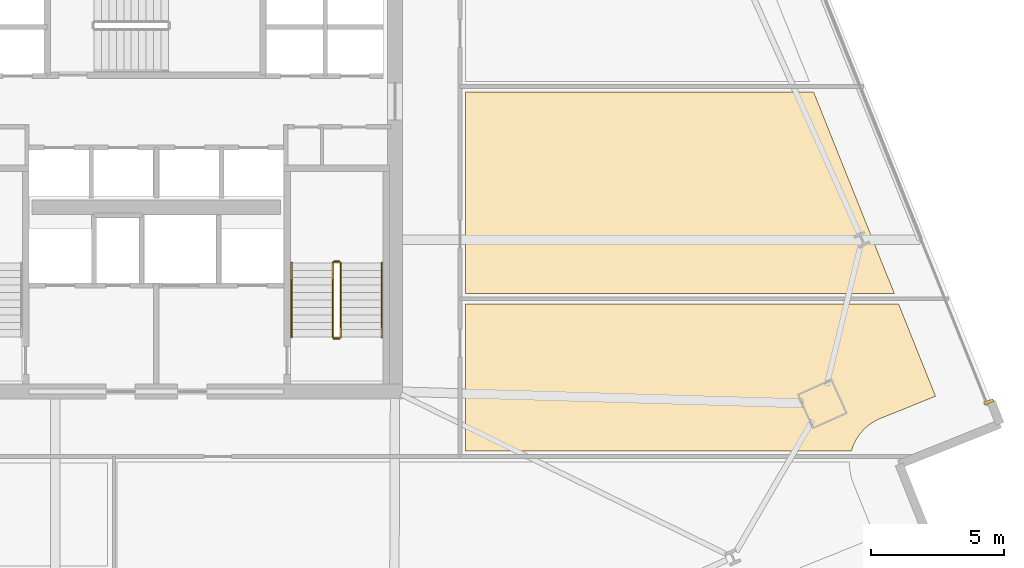
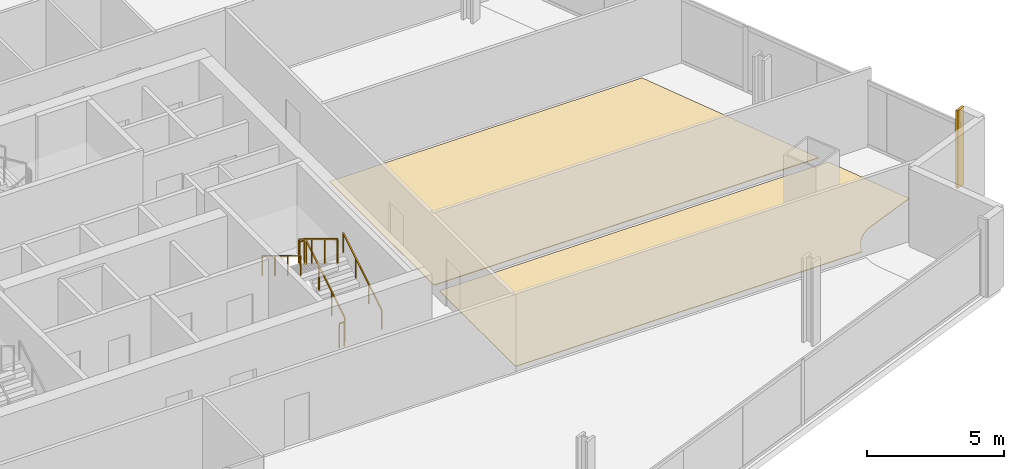
# One storey, part 30 of 33: 6 railings, 3 coverings.
"""IFC4 building model written with IfcOpenShell, lengths in metres."""

import ifcopenshell
import ifcopenshell.guid

model = None  # the IFC model being written
_history = None  # IfcOwnerHistory: only IFC2X3 demands one
_inside = {}  # id of a spatial element -> (the spatial element, [elements in it])
_under = {}  # id of a project, library or spatial element -> (it, [spatial elements below it])
_declared = {}  # id of a project -> (the project, [libraries it declares])
_typed = {}  # id of a type object -> (the type object, [elements of that type])
_made_of = {}  # id of a material, layer set ... -> (it, [elements and type objects made of it])


def new_model(schema):
    """Start an empty IFC model of exactly this schema.

    Asked for "IFC4X3", IfcOpenShell would pick the latest addendum, in which some entities
    have other attributes; the version numbers below select the first issue.
    IFC2X3 requires an IfcOwnerHistory on every rooted entity: one is made here for all.
    """
    global model, _history
    if schema == "IFC4X3":
        model = ifcopenshell.file(schema_version=(4, 3, 0, 0))
    else:
        model = ifcopenshell.file(schema=schema)
    _inside.clear()
    _under.clear()
    _declared.clear()
    _typed.clear()
    _made_of.clear()
    _history = None
    if model.schema == "IFC2X3":
        org = make("IfcOrganization", Name="unknown")
        user = make(
            "IfcPersonAndOrganization",
            ThePerson=make("IfcPerson", FamilyName="unknown"),
            TheOrganization=org,
        )
        app = make(
            "IfcApplication",
            ApplicationDeveloper=org,
            Version="unknown",
            ApplicationFullName="unknown",
            ApplicationIdentifier="unknown",
        )
        _history = make(
            "IfcOwnerHistory",
            OwningUser=user,
            OwningApplication=app,
            ChangeAction="ADDED",
            CreationDate=0,
        )
    return model


def make(cls, **values):
    """One entity of the class cls with the attributes given. An attribute that is None is left unset."""
    return model.create_entity(
        cls, **{name: value for name, value in values.items() if value is not None}
    )


def rooted(cls, **values):
    """An entity with a GlobalId (a new one), such as an element, a storey or a relation."""
    return make(cls, GlobalId=ifcopenshell.guid.new(), OwnerHistory=_history, **values)


def si_unit(unit_type, name, prefix=None):
    """IfcSIUnit, for example si_unit("LENGTHUNIT", "METRE", prefix="MILLI")."""
    return make("IfcSIUnit", UnitType=unit_type, Prefix=prefix, Name=name)


def assignment(units):
    """IfcUnitAssignment: the units of a project."""
    return None if units is None else make("IfcUnitAssignment", Units=units)


def point(xyz):
    """IfcCartesianPoint."""
    return None if xyz is None else make("IfcCartesianPoint", Coordinates=xyz)


def direction(xyz):
    """IfcDirection."""
    return None if xyz is None else make("IfcDirection", DirectionRatios=xyz)


def frame(location, z_axis=None, x_axis=None):
    """IfcAxis2Placement3D, a coordinate frame: its origin and axes. An axis left out is left unset."""
    return make(
        "IfcAxis2Placement3D",
        Location=point(location),
        Axis=direction(z_axis),
        RefDirection=direction(x_axis),
    )


def frame_2d(location, x_axis=None):
    """IfcAxis2Placement2D, a coordinate frame in the plane: its origin and x axis."""
    return make(
        "IfcAxis2Placement2D", Location=point(location), RefDirection=direction(x_axis)
    )


def origin():
    """The frame at (0, 0, 0) with its axes left unset."""
    return frame((0.0, 0.0, 0.0))


def origin_2d():
    """The frame at (0, 0) in the plane with its x axis left unset."""
    return frame_2d((0.0, 0.0))


def place(relative_to, where):
    """IfcLocalPlacement: puts the frame where relative to a parent placement (None: the world)."""
    return make(
        "IfcLocalPlacement", PlacementRelTo=relative_to, RelativePlacement=where
    )


def context(
    kind, dimensions, precision=None, world=None, true_north=None, identifier=None
):
    """IfcGeometricRepresentationContext, for example the 3D "Model" context."""
    return make(
        "IfcGeometricRepresentationContext",
        ContextIdentifier=identifier,
        ContextType=kind,
        CoordinateSpaceDimension=dimensions,
        Precision=precision,
        WorldCoordinateSystem=world,
        TrueNorth=true_north,
    )


def subcontext(parent, identifier, kind, view, scale=None):
    """IfcGeometricRepresentationSubContext, for example "Body" below "Model"."""
    return make(
        "IfcGeometricRepresentationSubContext",
        ContextIdentifier=identifier,
        ContextType=kind,
        ParentContext=parent,
        TargetScale=scale,
        TargetView=view,
    )


def project(units=None, contexts=None):
    """IfcProject with its units and contexts."""
    return rooted(
        "IfcProject",
        Name="project",
        RepresentationContexts=contexts,
        UnitsInContext=assignment(units),
    )


def spatial(cls, under=None, at=None, **own):
    """A site, building, storey or space (cls), placed at a placement, below another one or the project."""
    s = rooted(cls, ObjectPlacement=at, **own)
    if under is not None:
        _under.setdefault(under.id(), (under, []))[1].append(s)
    return s


def polyline(points):
    """IfcPolyline through the points."""
    return make("IfcPolyline", Points=[point(p) for p in points])


def profile(cls, at=None, kind="AREA", **sizes):
    """A parametric profile (cls). Its sizes go by their IFC names, for example OverallWidth=200.0."""
    return make(cls, ProfileType=kind, Position=at, **sizes)


def rectangle(**sizes):
    """IfcRectangleProfileDef."""
    return profile("IfcRectangleProfileDef", **sizes)


def outline(outer, holes=None, kind="AREA"):
    """IfcArbitraryClosedProfileDef: a profile drawn as a closed curve; with holes, ...WithVoids."""
    if holes is None:
        return make("IfcArbitraryClosedProfileDef", ProfileType=kind, OuterCurve=outer)
    return make(
        "IfcArbitraryProfileDefWithVoids",
        ProfileType=kind,
        OuterCurve=outer,
        InnerCurves=holes,
    )


def extrude(swept, where, along, depth):
    """IfcExtrudedAreaSolid: the profile swept, set in the frame where, extruded along a direction by depth."""
    return make(
        "IfcExtrudedAreaSolid",
        SweptArea=swept,
        Position=where,
        ExtrudedDirection=direction(along),
        Depth=depth,
    )


def shape(context_of_items, identifier, shape_type, items):
    """IfcShapeRepresentation: the items that make up one representation, for example the "Body"."""
    return make(
        "IfcShapeRepresentation",
        ContextOfItems=context_of_items,
        RepresentationIdentifier=identifier,
        RepresentationType=shape_type,
        Items=items,
    )


def source(mapping_origin, context_of_items, identifier, shape_type, items):
    """IfcRepresentationMap: a shape defined once, which mapped items show again and again."""
    return make(
        "IfcRepresentationMap",
        MappingOrigin=mapping_origin,
        MappedRepresentation=shape(context_of_items, identifier, shape_type, items),
    )


def transform(
    local_origin,
    x_axis=None,
    y_axis=None,
    z_axis=None,
    scale=None,
    scale2=None,
    scale3=None,
    uniform=True,
):
    """IfcCartesianTransformationOperator3D, or its non-uniform kind. x_axis, y_axis, z_axis: its Axis1, 2, 3."""
    if uniform:
        return make(
            "IfcCartesianTransformationOperator3D",
            Axis1=direction(x_axis),
            Axis2=direction(y_axis),
            LocalOrigin=point(local_origin),
            Scale=scale,
            Axis3=direction(z_axis),
        )
    return make(
        "IfcCartesianTransformationOperator3DnonUniform",
        Axis1=direction(x_axis),
        Axis2=direction(y_axis),
        LocalOrigin=point(local_origin),
        Scale=scale,
        Axis3=direction(z_axis),
        Scale2=scale2,
        Scale3=scale3,
    )


def mapped(mapping_source, mapping_target):
    """IfcMappedItem: shows the shape of a source again, moved by a transform."""
    return make(
        "IfcMappedItem", MappingSource=mapping_source, MappingTarget=mapping_target
    )


def material(Name=None, Category=None):
    """IfcMaterial."""
    return make("IfcMaterial", Name=Name, Category=Category)


def layer(
    of_material, thickness, ventilated=None, Name=None, Category=None, Priority=None
):
    """IfcMaterialLayer: one layer of a wall or slab, of a material (None: an air gap)."""
    return make(
        "IfcMaterialLayer",
        Material=of_material,
        LayerThickness=thickness,
        IsVentilated=ventilated,
        Name=Name,
        Category=Category,
        Priority=Priority,
    )


def layer_set(layers, Name=None):
    """IfcMaterialLayerSet."""
    return make("IfcMaterialLayerSet", MaterialLayers=layers, LayerSetName=Name)


def made_of(thing, what):
    """Note that an element or type object is made of a material, layer set ...; save() writes the relation."""
    if what is not None:
        _made_of.setdefault(what.id(), (what, []))[1].append(thing)
    return thing


def type_object(cls, material=None, **own):
    """A type object (cls), such as IfcWallType, which elements share."""
    return made_of(rooted(cls, **own), material)


def element(
    cls,
    number,
    at=None,
    inside=None,
    cuts=None,
    type_object=None,
    material=None,
    context=None,
    identifier="Body",
    shape_type=None,
    held_by="IfcProductDefinitionShape",
    body=None,
    shapes=None,
    **own,
):
    """One element of the class cls, such as IfcWall. Its Tag is "e" and its number.

    at: its placement. inside: the storey or other place that contains it. cuts: it is an
    opening in that element (IfcRelVoidsElement). A single representation is given by context,
    identifier, shape_type and body (its items); several are given by shapes. held_by: the class
    of the entity that holds the representations. save() writes the other relations.
    """
    e = rooted(cls, Tag="e%d" % number, ObjectPlacement=at, **own)
    if body is not None:
        shapes = [shape(context, identifier, shape_type, body)]
    if shapes is not None:
        e.Representation = make(held_by, Representations=shapes)
    if inside is not None:
        _inside.setdefault(inside.id(), (inside, []))[1].append(e)
    if cuts is not None:
        rooted(
            "IfcRelVoidsElement", RelatingBuildingElement=cuts, RelatedOpeningElement=e
        )
    if type_object is not None:
        _typed.setdefault(type_object.id(), (type_object, []))[1].append(e)
    return made_of(e, material)


def aggregate(whole, parts):
    """IfcRelAggregates: a whole, such as a stair, and the parts it consists of."""
    return rooted("IfcRelAggregates", RelatingObject=whole, RelatedObjects=parts)


def save(model, path):
    """Write the relations noted so far, then the file.

    IfcRelAggregates (storeys below a building ...), IfcRelContainedInSpatialStructure (elements
    in a storey), IfcRelDefinesByType, IfcRelAssociatesMaterial and IfcRelDeclares: one each for
    every whole, place, type object, material and project.
    """
    for whole, parts in _under.values():
        aggregate(whole, parts)
    for where, things in _inside.values():
        rooted(
            "IfcRelContainedInSpatialStructure",
            RelatedElements=things,
            RelatingStructure=where,
        )
    for kind, things in _typed.values():
        rooted("IfcRelDefinesByType", RelatedObjects=things, RelatingType=kind)
    for what, things in _made_of.values():
        rooted("IfcRelAssociatesMaterial", RelatedObjects=things, RelatingMaterial=what)
    for by, libraries in _declared.values():
        rooted("IfcRelDeclares", RelatingContext=by, RelatedDefinitions=libraries)
    model.write(path)


model = new_model("IFC4")

# Units and contexts
model_context = context("Model", 3, precision=1e-05, world=origin(), true_north=direction((0.0, 1.0)))
body_context = subcontext(model_context, "Body", "Model", "MODEL_VIEW")
ifc_project = project(units=[si_unit("LENGTHUNIT", "METRE"), si_unit("AREAUNIT", "SQUARE_METRE"), si_unit("VOLUMEUNIT", "CUBIC_METRE"), si_unit("PLANEANGLEUNIT", "RADIAN"), si_unit("MASSUNIT", "GRAM", prefix="KILO")], contexts=[model_context])

# Site, building, storey
site_placement = place(None, origin())
site = spatial("IfcSite", under=ifc_project, at=site_placement, CompositionType="ELEMENT")
building_placement = place(site_placement, origin())
building = spatial("IfcBuilding", under=site, at=building_placement, Name="Haldenkirk Collegiate Tower", CompositionType="ELEMENT")
storey_placement = place(building_placement, frame((0.0, 0.0, 101.699951171875)))
storey = spatial("IfcBuildingStorey", under=building, at=storey_placement, Name="L24", CompositionType="ELEMENT", Elevation=101.699951171875)

# Coverings
ifc_material_1 = material(Name="Polished collegiate terrazzo", Category="concrete")
ifc_layer_1 = layer(ifc_material_1, 0.02490234375)
ifc_layer_set_1 = layer_set([ifc_layer_1], Name="Polished collegiate terrazzo")
covering_type_1 = type_object("IfcCoveringType", Name="COV-FLOOR-TERRAZZO", PredefinedType="FLOORING", material=ifc_layer_set_1)
covering_1_placement = place(storey_placement, origin())
element("IfcCovering", 1, at=covering_1_placement, inside=storey, type_object=covering_type_1, Name="L24 academic room finish 10", PredefinedType="FLOORING", context=body_context, shape_type="SweptSolid", body=[
    extrude(outline(polyline([(63.82958984375, 21.699951171875), (47.64990234375, 21.699951171875), (47.64990234375, 29.300048828125), (60.781982421875, 29.300048828125), (63.82958984375, 21.699951171875)])), origin(), (0.0, 0.0, 1.0), 0.025146484375),
])
ifc_material_2 = material(Name="Engineered collegiate oak acoustic flooring", Category="wood")
ifc_layer_2 = layer(ifc_material_2, 0.02197265625)
ifc_layer_set_2 = layer_set([ifc_layer_2], Name="Engineered collegiate oak acoustic flooring")
covering_type_2 = type_object("IfcCoveringType", Name="COV-FLOOR-TIMBER", PredefinedType="FLOORING", material=ifc_layer_set_2)
covering_2_placement = place(storey_placement, origin())
element("IfcCovering", 2, at=covering_2_placement, inside=storey, type_object=covering_type_2, Name="L24 academic room finish 09", PredefinedType="FLOORING", context=body_context, shape_type="SweptSolid", body=[
    extrude(outline(polyline([(63.31591796875, 16.989013671875), (63.310546875, 16.98681640625), (63.154541015625, 16.9150390625), (63.14404296875, 16.90966796875), (62.995849609375, 16.822998046875), (62.98583984375, 16.816650390625), (62.8466796875, 16.7158203125), (62.837646484375, 16.70849609375), (62.708984375, 16.594482421875), (62.70068359375, 16.58642578125), (62.583984375, 16.46044921875), (62.576416015625, 16.451416015625), (62.472412109375, 16.314697265625), (62.4658203125, 16.304931640625), (62.3759765625, 16.15869140625), (62.3701171875, 16.148193359375), (62.294921875, 15.993896484375), (62.290283203125, 15.983154296875), (62.230712890625, 15.822021484375), (62.22705078125, 15.810791015625), (62.211181640625, 15.75), (47.64990234375, 15.75), (47.64990234375, 21.300048828125), (63.989990234375, 21.300048828125), (65.3857421875, 17.819091796875), (63.31591796875, 16.989013671875)])), origin(), (0.0, 0.0, 1.0), 0.02197265625),
])

# Railings
ifc_material_3 = material(Name="Painted architectural tubular steel", Category="steel")
railing_type_1 = type_object("IfcRailingType", Name="RLG-STAIR-GUARD-1100", PredefinedType="BALUSTRADE", material=ifc_material_3)
railing_1_placement = place(storey_placement, frame((42.949951171875, 20.050048828125, 0.17041015625)))
element("IfcRailing", 3, at=railing_1_placement, inside=storey, type_object=railing_type_1, Name="L24 ST-2 stair guard 1", PredefinedType="BALUSTRADE", context=body_context, shape_type="SweptSolid", body=[
    extrude(rectangle(XDim=0.048095703125, YDim=0.048095703125, at=origin_2d()), frame((0.0, 0.0, 1.076171875), z_axis=(0.0, 0.854169791009, 0.51999420009), x_axis=(-1.0, 0.0, 0.0)), (0.0, 0.0, 1.0), 3.278076171875),
    extrude(rectangle(XDim=0.0419921875, YDim=0.0419921875, at=origin_2d()), origin(), (0.0, 0.0, 1.0), 1.052001953125),
    extrude(rectangle(XDim=0.0419921875, YDim=0.0419921875, at=origin_2d()), frame((0.0, 0.933349609375, 0.568115234375)), (0.0, 0.0, 1.0), 1.052001953125),
    extrude(rectangle(XDim=0.0419921875, YDim=0.0419921875, at=origin_2d()), frame((0.0, 1.86669921875, 1.136474609375)), (0.0, 0.0, 1.0), 1.052001953125),
    extrude(rectangle(XDim=0.0419921875, YDim=0.0419921875, at=origin_2d()), frame((0.0, 2.800048828125, 1.70458984375)), (0.0, 0.0, 1.0), 1.052001953125),
])
railing_2_placement = place(storey_placement, frame((42.89990234375, 22.89990234375, 1.875)))
element("IfcRailing", 4, at=railing_2_placement, inside=storey, type_object=railing_type_1, Name="L24 ST-2 stair guard 2", PredefinedType="BALUSTRADE", context=body_context, shape_type="SweptSolid", body=[
    extrude(rectangle(XDim=0.048095703125, YDim=0.048095703125, at=origin_2d()), frame((0.0, 0.0, 1.076171875), z_axis=(-1.0, 0.0, 0.0), x_axis=(0.0, -1.0, 0.0)), (0.0, 0.0, 1.0), 0.199951171875),
    extrude(rectangle(XDim=0.0419921875, YDim=0.0419921875, at=origin_2d()), origin(), (0.0, 0.0, 1.0), 1.052001953125),
    extrude(rectangle(XDim=0.0419921875, YDim=0.0419921875, at=origin_2d()), frame((-0.199951171875, 0.0, 0.0)), (0.0, 0.0, 1.0), 1.052001953125),
])
railing_3_placement = place(storey_placement, frame((42.64990234375, 22.85009765625, 2.04541015625)))
element("IfcRailing", 5, at=railing_3_placement, inside=storey, type_object=railing_type_1, Name="L24 ST-2 stair guard 3", PredefinedType="BALUSTRADE", context=body_context, shape_type="SweptSolid", body=[
    extrude(rectangle(XDim=0.048095703125, YDim=0.048095703125, at=origin_2d()), frame((0.0, 0.0, 1.076171875), z_axis=(0.0, -0.854169791009, 0.51999420009), x_axis=(1.0, 0.0, 0.0)), (0.0, 0.0, 1.0), 3.278076171875),
    extrude(rectangle(XDim=0.0419921875, YDim=0.0419921875, at=origin_2d()), origin(), (0.0, 0.0, 1.0), 1.052001953125),
    extrude(rectangle(XDim=0.0419921875, YDim=0.0419921875, at=origin_2d()), frame((0.0, -0.933349609375, 0.568115234375)), (0.0, 0.0, 1.0), 1.052001953125),
    extrude(rectangle(XDim=0.0419921875, YDim=0.0419921875, at=origin_2d()), frame((0.0, -1.86669921875, 1.136474609375)), (0.0, 0.0, 1.0), 1.052001953125),
    extrude(rectangle(XDim=0.0419921875, YDim=0.0419921875, at=origin_2d()), frame((0.0, -2.800048828125, 1.70458984375)), (0.0, 0.0, 1.0), 1.052001953125),
])
railing_4_placement = place(storey_placement, frame((42.89990234375, 20.0, 0.0)))
element("IfcRailing", 6, at=railing_4_placement, inside=storey, type_object=railing_type_1, Name="L24 ST-2 stair guard 4", PredefinedType="BALUSTRADE", context=body_context, shape_type="SweptSolid", body=[
    extrude(rectangle(XDim=0.048095703125, YDim=0.048095703125, at=origin_2d()), frame((0.0, 0.0, 1.076171875), z_axis=(-1.0, 0.0, 0.0), x_axis=(0.0, -1.0, 0.0)), (0.0, 0.0, 1.0), 0.199951171875),
    extrude(rectangle(XDim=0.0419921875, YDim=0.0419921875, at=origin_2d()), origin(), (0.0, 0.0, 1.0), 1.052001953125),
    extrude(rectangle(XDim=0.0419921875, YDim=0.0419921875, at=origin_2d()), frame((-0.199951171875, 0.0, 0.0)), (0.0, 0.0, 1.0), 1.052001953125),
])
railing_type_2 = type_object("IfcRailingType", Name="RLG-STAIR-HANDRAIL-900", PredefinedType="HANDRAIL", material=ifc_material_3)
railing_5_placement = place(storey_placement, frame((44.5, 20.050048828125, 0.17041015625)))
element("IfcRailing", 7, at=railing_5_placement, inside=storey, type_object=railing_type_2, Name="L24 ST-2 stair handrail 1", PredefinedType="HANDRAIL", context=body_context, shape_type="SweptSolid", body=[
    extrude(rectangle(XDim=0.048095703125, YDim=0.048095703125, at=origin_2d()), frame((0.0, 0.0, 0.8759765625), z_axis=(0.0, 0.854169791009, 0.51999420009), x_axis=(-1.0, 0.0, 0.0)), (0.0, 0.0, 1.0), 3.278076171875),
    extrude(rectangle(XDim=0.0419921875, YDim=0.0419921875, at=origin_2d()), origin(), (0.0, 0.0, 1.0), 0.851806640625),
    extrude(rectangle(XDim=0.0419921875, YDim=0.0419921875, at=origin_2d()), frame((0.0, 0.933349609375, 0.568115234375)), (0.0, 0.0, 1.0), 0.851806640625),
    extrude(rectangle(XDim=0.0419921875, YDim=0.0419921875, at=origin_2d()), frame((0.0, 1.86669921875, 1.136474609375)), (0.0, 0.0, 1.0), 0.851806640625),
    extrude(rectangle(XDim=0.0419921875, YDim=0.0419921875, at=origin_2d()), frame((0.0, 2.800048828125, 1.70458984375)), (0.0, 0.0, 1.0), 0.851806640625),
])
railing_6_placement = place(storey_placement, frame((41.10009765625, 22.85009765625, 2.04541015625)))
element("IfcRailing", 8, at=railing_6_placement, inside=storey, type_object=railing_type_2, Name="L24 ST-2 stair handrail 2", PredefinedType="HANDRAIL", context=body_context, shape_type="SweptSolid", body=[
    extrude(rectangle(XDim=0.048095703125, YDim=0.048095703125, at=origin_2d()), frame((0.0, 0.0, 0.8759765625), z_axis=(0.0, -0.854169791009, 0.51999420009), x_axis=(1.0, 0.0, 0.0)), (0.0, 0.0, 1.0), 3.278076171875),
    extrude(rectangle(XDim=0.0419921875, YDim=0.0419921875, at=origin_2d()), origin(), (0.0, 0.0, 1.0), 0.851806640625),
    extrude(rectangle(XDim=0.0419921875, YDim=0.0419921875, at=origin_2d()), frame((0.0, -0.933349609375, 0.568115234375)), (0.0, 0.0, 1.0), 0.851806640625),
    extrude(rectangle(XDim=0.0419921875, YDim=0.0419921875, at=origin_2d()), frame((0.0, -1.86669921875, 1.136474609375)), (0.0, 0.0, 1.0), 0.851806640625),
    extrude(rectangle(XDim=0.0419921875, YDim=0.0419921875, at=origin_2d()), frame((0.0, -2.800048828125, 1.70458984375)), (0.0, 0.0, 1.0), 0.851806640625),
])

# Covering
ifc_material_4 = material(Name="Anodised architectural bronze aluminium", Category="aluminium")
ifc_layer_3 = layer(ifc_material_4, 0.06005859375)
ifc_layer_set_3 = layer_set([ifc_layer_3], Name="Anodised architectural bronze aluminium")
covering_type_3 = type_object("IfcCoveringType", Name="COV-CLAD-BRONZE-60", PredefinedType="CLADDING", material=ifc_layer_set_3)
shared_shape = source(origin(), body_context, "Body", "SweptSolid", [
    extrude(rectangle(XDim=0.10009765625, YDim=0.3798828125, at=origin_2d()), origin(), (0.0, 0.0, 1.0), 3.449951171875),
])
covering_3_placement = place(storey_placement, frame((67.3876953125, 17.60888671875, 0.0), z_axis=(0.0, 0.0, 1.0), x_axis=(0.372177950778, -0.928161393808, 0.0)))
element("IfcCovering", 9, at=covering_3_placement, inside=storey, type_object=covering_type_3, Name="L24 recessed curtain-wall bronze jamb closure EJR", PredefinedType="CLADDING", context=body_context, shape_type="MappedRepresentation", body=[
    mapped(shared_shape, transform((0.0, 0.0, 0.0), x_axis=(1.0, 0.0, 0.0), y_axis=(0.0, 1.0, 0.0), z_axis=(0.0, 0.0, 1.0), scale=1.0)),
])

save(model, "model.ifc")
